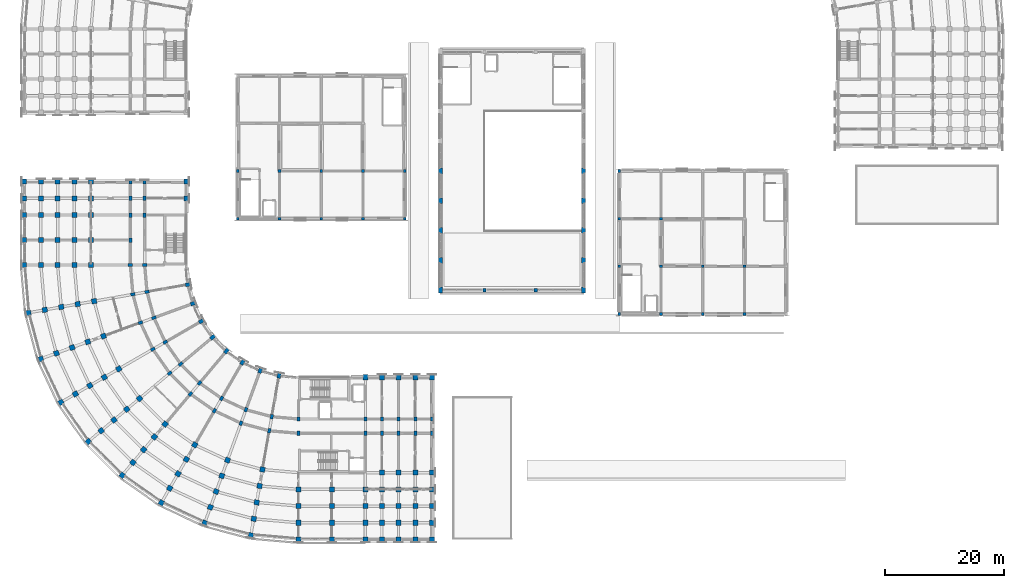
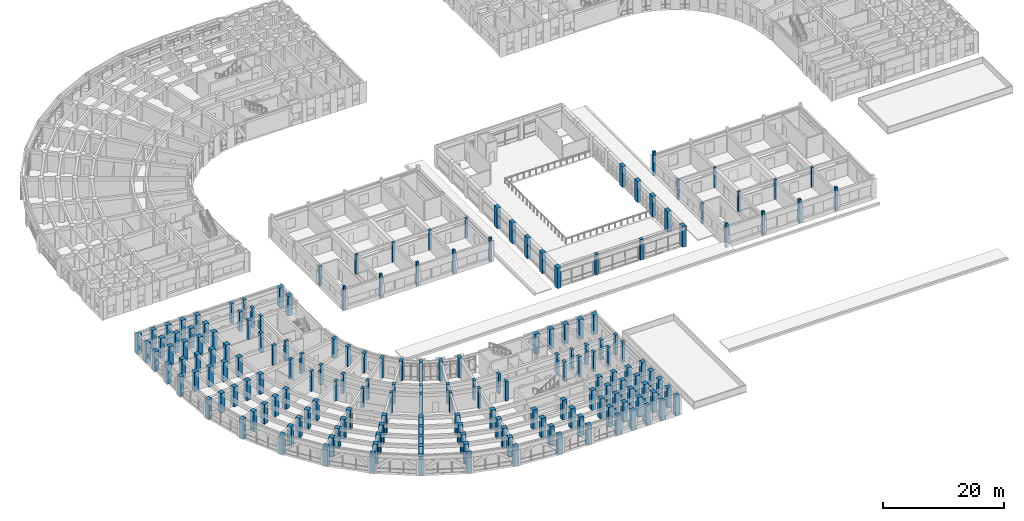
# One storey, part 1 of 97: 182 columns.
"""IFC4 building model written with IfcOpenShell, lengths in metres."""

from ifc_helpers import new_model, si_unit, direction, frame, origin, origin_2d, place, context, subcontext, project, spatial, rectangle, extrude, material, material_profile, profile_set, type_object, element, save


model = new_model("IFC4")

# Units and contexts
model_context = context("Model", 3, precision=1e-05, world=origin(), true_north=direction((0.0, 1.0)))
body_context = subcontext(model_context, "Body", "Model", "MODEL_VIEW")
ifc_project = project(units=[si_unit("LENGTHUNIT", "METRE"), si_unit("AREAUNIT", "SQUARE_METRE"), si_unit("VOLUMEUNIT", "CUBIC_METRE"), si_unit("PLANEANGLEUNIT", "RADIAN"), si_unit("MASSUNIT", "GRAM", prefix="KILO")], contexts=[model_context])

# Site, building, storey
site_placement = place(None, origin())
site = spatial("IfcSite", under=ifc_project, at=site_placement, CompositionType="ELEMENT")
building_placement = place(site_placement, origin())
building = spatial("IfcBuilding", under=site, at=building_placement, Name="Kiranvali Square Residences", CompositionType="ELEMENT")
storey_placement = place(building_placement, frame((0.0, 0.0, 4.5)))
storey = spatial("IfcBuildingStorey", under=building, at=storey_placement, Name="L01", CompositionType="ELEMENT", Elevation=4.5)

# Columns
ifc_material_1 = material(Name="Concrete M40 (40 MPa)", Category="concrete")
ifc_material_profile_1 = material_profile(ifc_material_1, rectangle(XDim=0.449951171875, YDim=0.449951171875, at=origin_2d()), Name="RC 450x450")
ifc_profile_set_1 = profile_set([ifc_material_profile_1], Name="Concrete M40 (40 MPa)")
column_type_1 = type_object("IfcColumnType", Name="COL-M40-450", PredefinedType="COLUMN", material=ifc_profile_set_1)
column_1_placement = place(storey_placement, frame((38.0, 56.0, 0.0), z_axis=(0.0, 0.0, 1.0), x_axis=(1.0, 0.0, 0.0)))
element("IfcColumn", 1, at=column_1_placement, inside=storey, type_object=column_type_1, Name="Nursery Pavilion L01 column 0-0", PredefinedType="COLUMN", context=body_context, shape_type="SweptSolid", body=[
    extrude(rectangle(XDim=0.449951171875, YDim=0.449951171875, at=origin_2d()), origin(), (0.0, 0.0, 1.0), 4.85009765625),
])
column_2_placement = place(storey_placement, frame((38.0, 64.0, 0.0), z_axis=(0.0, 0.0, 1.0), x_axis=(1.0, 0.0, 0.0)))
element("IfcColumn", 2, at=column_2_placement, inside=storey, type_object=column_type_1, Name="Nursery Pavilion L01 column 0-1", PredefinedType="COLUMN", context=body_context, shape_type="SweptSolid", body=[
    extrude(rectangle(XDim=0.449951171875, YDim=0.449951171875, at=origin_2d()), origin(), (0.0, 0.0, 1.0), 4.0),
])
column_3_placement = place(storey_placement, frame((45.0, 56.0, 0.0), z_axis=(0.0, 0.0, 1.0), x_axis=(1.0, 0.0, 0.0)))
element("IfcColumn", 3, at=column_3_placement, inside=storey, type_object=column_type_1, Name="Nursery Pavilion L01 column 1-0", PredefinedType="COLUMN", context=body_context, shape_type="SweptSolid", body=[
    extrude(rectangle(XDim=0.449951171875, YDim=0.449951171875, at=origin_2d()), origin(), (0.0, 0.0, 1.0), 4.85009765625),
])
column_4_placement = place(storey_placement, frame((45.0, 64.0, 0.0), z_axis=(0.0, 0.0, 1.0), x_axis=(1.0, 0.0, 0.0)))
element("IfcColumn", 4, at=column_4_placement, inside=storey, type_object=column_type_1, Name="Nursery Pavilion L01 column 1-1", PredefinedType="COLUMN", context=body_context, shape_type="SweptSolid", body=[
    extrude(rectangle(XDim=0.449951171875, YDim=0.449951171875, at=origin_2d()), origin(), (0.0, 0.0, 1.0), 4.0),
])
column_5_placement = place(storey_placement, frame((52.0, 56.0, 0.0), z_axis=(0.0, 0.0, 1.0), x_axis=(1.0, 0.0, 0.0)))
element("IfcColumn", 5, at=column_5_placement, inside=storey, type_object=column_type_1, Name="Nursery Pavilion L01 column 2-0", PredefinedType="COLUMN", context=body_context, shape_type="SweptSolid", body=[
    extrude(rectangle(XDim=0.449951171875, YDim=0.449951171875, at=origin_2d()), origin(), (0.0, 0.0, 1.0), 4.85009765625),
])
column_6_placement = place(storey_placement, frame((52.0, 64.0, 0.0), z_axis=(0.0, 0.0, 1.0), x_axis=(1.0, 0.0, 0.0)))
element("IfcColumn", 6, at=column_6_placement, inside=storey, type_object=column_type_1, Name="Nursery Pavilion L01 column 2-1", PredefinedType="COLUMN", context=body_context, shape_type="SweptSolid", body=[
    extrude(rectangle(XDim=0.449951171875, YDim=0.449951171875, at=origin_2d()), origin(), (0.0, 0.0, 1.0), 4.0),
])
column_7_placement = place(storey_placement, frame((59.0, 56.0, 0.0), z_axis=(0.0, 0.0, 1.0), x_axis=(1.0, 0.0, 0.0)))
element("IfcColumn", 7, at=column_7_placement, inside=storey, type_object=column_type_1, Name="Nursery Pavilion L01 column 3-0", PredefinedType="COLUMN", context=body_context, shape_type="SweptSolid", body=[
    extrude(rectangle(XDim=0.449951171875, YDim=0.449951171875, at=origin_2d()), origin(), (0.0, 0.0, 1.0), 4.85009765625),
])
column_8_placement = place(storey_placement, frame((59.0, 64.0, 0.0), z_axis=(0.0, 0.0, 1.0), x_axis=(1.0, 0.0, 0.0)))
element("IfcColumn", 8, at=column_8_placement, inside=storey, type_object=column_type_1, Name="Nursery Pavilion L01 column 3-1", PredefinedType="COLUMN", context=body_context, shape_type="SweptSolid", body=[
    extrude(rectangle(XDim=0.449951171875, YDim=0.449951171875, at=origin_2d()), origin(), (0.0, 0.0, 1.0), 4.0),
])
column_9_placement = place(storey_placement, frame((66.0, 56.0, 0.0), z_axis=(0.0, 0.0, 1.0), x_axis=(1.0, 0.0, 0.0)))
element("IfcColumn", 9, at=column_9_placement, inside=storey, type_object=column_type_1, Name="Nursery Pavilion L01 column 4-0", PredefinedType="COLUMN", context=body_context, shape_type="SweptSolid", body=[
    extrude(rectangle(XDim=0.449951171875, YDim=0.449951171875, at=origin_2d()), origin(), (0.0, 0.0, 1.0), 4.85009765625),
])
column_10_placement = place(storey_placement, frame((66.0, 64.0, 0.0), z_axis=(0.0, 0.0, 1.0), x_axis=(1.0, 0.0, 0.0)))
element("IfcColumn", 10, at=column_10_placement, inside=storey, type_object=column_type_1, Name="Nursery Pavilion L01 column 4-1", PredefinedType="COLUMN", context=body_context, shape_type="SweptSolid", body=[
    extrude(rectangle(XDim=0.449951171875, YDim=0.449951171875, at=origin_2d()), origin(), (0.0, 0.0, 1.0), 4.0),
])
column_11_placement = place(storey_placement, frame((102.0, 40.0, 0.0), z_axis=(0.0, 0.0, 1.0), x_axis=(1.0, 0.0, 0.0)))
element("IfcColumn", 11, at=column_11_placement, inside=storey, type_object=column_type_1, Name="Southeast Square Retail Pavilion L01 column 0-0", PredefinedType="COLUMN", context=body_context, shape_type="SweptSolid", body=[
    extrude(rectangle(XDim=0.449951171875, YDim=0.449951171875, at=origin_2d()), origin(), (0.0, 0.0, 1.0), 4.85009765625),
])
for number, where, z_axis, x_axis, name in (
    (12, (102.0, 48.0, 0.0), (0.0, 0.0, 1.0), (1.0, 0.0, 0.0), "Southeast Square Retail Pavilion L01 column 0-1"),
    (13, (102.0, 56.0, 0.0), (0.0, 0.0, 1.0), (1.0, 0.0, 0.0), "Southeast Square Retail Pavilion L01 column 0-2"),
):
    element("IfcColumn", number, at=place(storey_placement, frame(where, z_axis=z_axis, x_axis=x_axis)), inside=storey, type_object=column_type_1, Name=name, PredefinedType="COLUMN", context=body_context, shape_type="SweptSolid", body=[
        extrude(rectangle(XDim=0.449951171875, YDim=0.449951171875, at=origin_2d()), origin(), (0.0, 0.0, 1.0), 4.0),
    ])
for number, where, z_axis, x_axis, name in (
    (14, (102.0, 64.0, 0.0), (0.0, 0.0, 1.0), (1.0, 0.0, 0.0), "Southeast Square Retail Pavilion L01 column 0-3"),
    (15, (109.0, 40.0, 0.0), (0.0, 0.0, 1.0), (1.0, 0.0, 0.0), "Southeast Square Retail Pavilion L01 column 1-0"),
):
    element("IfcColumn", number, at=place(storey_placement, frame(where, z_axis=z_axis, x_axis=x_axis)), inside=storey, type_object=column_type_1, Name=name, PredefinedType="COLUMN", context=body_context, shape_type="SweptSolid", body=[
        extrude(rectangle(XDim=0.449951171875, YDim=0.449951171875, at=origin_2d()), origin(), (0.0, 0.0, 1.0), 4.85009765625),
    ])
for number, where, z_axis, x_axis, name in (
    (16, (109.0, 48.0, 0.0), (0.0, 0.0, 1.0), (1.0, 0.0, 0.0), "Southeast Square Retail Pavilion L01 column 1-1"),
    (17, (109.0, 56.0, 0.0), (0.0, 0.0, 1.0), (1.0, 0.0, 0.0), "Southeast Square Retail Pavilion L01 column 1-2"),
):
    element("IfcColumn", number, at=place(storey_placement, frame(where, z_axis=z_axis, x_axis=x_axis)), inside=storey, type_object=column_type_1, Name=name, PredefinedType="COLUMN", context=body_context, shape_type="SweptSolid", body=[
        extrude(rectangle(XDim=0.449951171875, YDim=0.449951171875, at=origin_2d()), origin(), (0.0, 0.0, 1.0), 4.0),
    ])
column_12_placement = place(storey_placement, frame((116.0, 40.0, 0.0), z_axis=(0.0, 0.0, 1.0), x_axis=(1.0, 0.0, 0.0)))
element("IfcColumn", 18, at=column_12_placement, inside=storey, type_object=column_type_1, Name="Southeast Square Retail Pavilion L01 column 2-0", PredefinedType="COLUMN", context=body_context, shape_type="SweptSolid", body=[
    extrude(rectangle(XDim=0.449951171875, YDim=0.449951171875, at=origin_2d()), origin(), (0.0, 0.0, 1.0), 4.85009765625),
])
column_13_placement = place(storey_placement, frame((116.0, 48.0, 0.0), z_axis=(0.0, 0.0, 1.0), x_axis=(1.0, 0.0, 0.0)))
element("IfcColumn", 19, at=column_13_placement, inside=storey, type_object=column_type_1, Name="Southeast Square Retail Pavilion L01 column 2-1", PredefinedType="COLUMN", context=body_context, shape_type="SweptSolid", body=[
    extrude(rectangle(XDim=0.449951171875, YDim=0.449951171875, at=origin_2d()), origin(), (0.0, 0.0, 1.0), 4.0),
])
column_14_placement = place(storey_placement, frame((123.0, 40.0, 0.0), z_axis=(0.0, 0.0, 1.0), x_axis=(1.0, 0.0, 0.0)))
element("IfcColumn", 20, at=column_14_placement, inside=storey, type_object=column_type_1, Name="Southeast Square Retail Pavilion L01 column 3-0", PredefinedType="COLUMN", context=body_context, shape_type="SweptSolid", body=[
    extrude(rectangle(XDim=0.449951171875, YDim=0.449951171875, at=origin_2d()), origin(), (0.0, 0.0, 1.0), 4.85009765625),
])
column_15_placement = place(storey_placement, frame((123.0, 48.0, 0.0), z_axis=(0.0, 0.0, 1.0), x_axis=(1.0, 0.0, 0.0)))
element("IfcColumn", 21, at=column_15_placement, inside=storey, type_object=column_type_1, Name="Southeast Square Retail Pavilion L01 column 3-1", PredefinedType="COLUMN", context=body_context, shape_type="SweptSolid", body=[
    extrude(rectangle(XDim=0.449951171875, YDim=0.449951171875, at=origin_2d()), origin(), (0.0, 0.0, 1.0), 4.0),
])
ifc_material_profile_2 = material_profile(ifc_material_1, rectangle(XDim=0.550048828125, YDim=0.550048828125, at=origin_2d()), Name="RC 550x550")
ifc_profile_set_2 = profile_set([ifc_material_profile_2], Name="Concrete M40 (40 MPa)")
column_type_2 = type_object("IfcColumnType", Name="COL-M40-550", PredefinedType="COLUMN", material=ifc_profile_set_2)
for number, where, z_axis, x_axis, name in (
    (22, (79.39990234375, 44.0, 0.0), (0.0, 0.0, 1.0), (1.0, 0.0, 0.0), "Community Hall gable column 79.4-44.0"),
    (23, (88.0, 44.0, 0.0), (0.0, 0.0, 1.0), (1.0, 0.0, 0.0), "Community Hall gable column 88.0-44.0"),
):
    element("IfcColumn", number, at=place(storey_placement, frame(where, z_axis=z_axis, x_axis=x_axis)), inside=storey, type_object=column_type_2, Name=name, PredefinedType="COLUMN", context=body_context, shape_type="SweptSolid", body=[
        extrude(rectangle(XDim=0.550048828125, YDim=0.550048828125, at=origin_2d()), origin(), (0.0, 0.0, 1.0), 4.199951171875),
    ])
ifc_material_2 = material(Name="Concrete M45 (45 MPa)", Category="concrete")
ifc_material_profile_3 = material_profile(ifc_material_2, rectangle(XDim=0.699951171875, YDim=1.0, at=origin_2d()), Name="RC 1000x700")
ifc_profile_set_3 = profile_set([ifc_material_profile_3], Name="Concrete M45 (45 MPa)")
column_type_3 = type_object("IfcColumnType", Name="COL-M45-1000x700", PredefinedType="COLUMN", material=ifc_profile_set_3)
for number, where, z_axis, x_axis, name in (
    (24, (72.0, 44.0, 0.0), (0.0, 0.0, 1.0), (1.0, 0.0, 0.0), "Community Hall buttressed pier W1 L01"),
    (25, (96.0, 44.0, 0.0), (0.0, 0.0, 1.0), (1.0, 0.0, 0.0), "Community Hall buttressed pier E1 L01"),
    (26, (72.0, 49.0, 0.0), (0.0, 0.0, 1.0), (1.0, 0.0, 0.0), "Community Hall buttressed pier W2 L01"),
    (27, (96.0, 49.0, 0.0), (0.0, 0.0, 1.0), (1.0, 0.0, 0.0), "Community Hall buttressed pier E2 L01"),
    (28, (72.0, 54.0, 0.0), (0.0, 0.0, 1.0), (1.0, 0.0, 0.0), "Community Hall buttressed pier W3 L01"),
    (29, (96.0, 54.0, 0.0), (0.0, 0.0, 1.0), (1.0, 0.0, 0.0), "Community Hall buttressed pier E3 L01"),
    (30, (72.0, 59.0, 0.0), (0.0, 0.0, 1.0), (1.0, 0.0, 0.0), "Community Hall buttressed pier W4 L01"),
    (31, (96.0, 59.0, 0.0), (0.0, 0.0, 1.0), (1.0, 0.0, 0.0), "Community Hall buttressed pier E4 L01"),
    (32, (72.0, 64.0, 0.0), (0.0, 0.0, 1.0), (1.0, 0.0, 0.0), "Community Hall buttressed pier W5 L01"),
    (33, (96.0, 64.0, 0.0), (0.0, 0.0, 1.0), (1.0, 0.0, 0.0), "Community Hall buttressed pier E5 L01"),
):
    element("IfcColumn", number, at=place(storey_placement, frame(where, z_axis=z_axis, x_axis=x_axis)), inside=storey, type_object=column_type_3, Name=name, PredefinedType="COLUMN", context=body_context, shape_type="SweptSolid", body=[
        extrude(rectangle(XDim=0.699951171875, YDim=1.0, at=origin_2d()), origin(), (0.0, 0.0, 1.0), 4.199951171875),
    ])
ifc_material_profile_4 = material_profile(ifc_material_2, rectangle(XDim=0.5, YDim=0.75, at=origin_2d()), Name="RC 750x500")
ifc_profile_set_4 = profile_set([ifc_material_profile_4], Name="Concrete M45 (45 MPa)")
column_type_4 = type_object("IfcColumnType", Name="COL-M45-750x500", PredefinedType="COLUMN", material=ifc_profile_set_4)
for number, where, z_axis, x_axis, name in (
    (34, (48.199951171875, 22.39990234375, 0.0), (0.0, 0.0, 1.0), (1.0, 0.0, 0.0), "Block C L01 radial column A00-R1"),
    (35, (48.199951171875, 20.0, 0.0), (0.0, 0.0, 1.0), (1.0, 0.0, 0.0), "Block C L01 radial column A00-R2"),
    (36, (43.719970703125, 22.7919921875, 0.0), (0.0, 0.0, 1.0), (-0.984807753012, 0.173648177667, 0.0), "Block C L01 radial column A01-R1"),
    (37, (43.30322265625, 20.428466796875, 0.0), (0.0, 0.0, 1.0), (-0.984807753012, 0.173648177667, 0.0), "Block C L01 radial column A01-R2"),
    (38, (39.3759765625, 23.955810546875, 0.0), (0.0, 0.0, 1.0), (-0.939692620786, 0.342020143326, 0.0), "Block C L01 radial column A02-R1"),
    (39, (38.554931640625, 21.70068359375, 0.0), (0.0, 0.0, 1.0), (-0.939692620786, 0.342020143326, 0.0), "Block C L01 radial column A02-R2"),
    (40, (35.300048828125, 25.8564453125, 0.0), (0.0, 0.0, 1.0), (-0.866025403784, 0.5, 0.0), "Block C L01 radial column A03-R1"),
    (41, (34.10009765625, 23.778076171875, 0.0), (0.0, 0.0, 1.0), (-0.866025403784, 0.5, 0.0), "Block C L01 radial column A03-R2"),
    (42, (31.615966796875, 28.43603515625, 0.0), (0.0, 0.0, 1.0), (-0.766044443119, 0.642787609687, 0.0), "Block C L01 radial column A04-R1"),
    (43, (30.073486328125, 26.59765625, 0.0), (0.0, 0.0, 1.0), (-0.766044443119, 0.642787609687, 0.0), "Block C L01 radial column A04-R2"),
    (44, (28.43603515625, 31.615966796875, 0.0), (0.0, 0.0, 1.0), (-0.642787609687, 0.766044443119, 0.0), "Block C L01 radial column A05-R1"),
    (45, (26.59765625, 30.073486328125, 0.0), (0.0, 0.0, 1.0), (-0.642787609687, 0.766044443119, 0.0), "Block C L01 radial column A05-R2"),
    (46, (25.8564453125, 35.300048828125, 0.0), (0.0, 0.0, 1.0), (-0.5, 0.866025403784, 0.0), "Block C L01 radial column A06-R1"),
    (47, (23.778076171875, 34.10009765625, 0.0), (0.0, 0.0, 1.0), (-0.5, 0.866025403784, 0.0), "Block C L01 radial column A06-R2"),
    (48, (23.955810546875, 39.3759765625, 0.0), (0.0, 0.0, 1.0), (-0.342020143326, 0.939692620786, 0.0), "Block C L01 radial column A07-R1"),
    (49, (21.70068359375, 38.554931640625, 0.0), (0.0, 0.0, 1.0), (-0.342020143326, 0.939692620786, 0.0), "Block C L01 radial column A07-R2"),
    (50, (22.7919921875, 43.719970703125, 0.0), (0.0, 0.0, 1.0), (-0.173648177667, 0.984807753012, 0.0), "Block C L01 radial column A08-R1"),
    (51, (20.428466796875, 43.30322265625, 0.0), (0.0, 0.0, 1.0), (-0.173648177667, 0.984807753012, 0.0), "Block C L01 radial column A08-R2"),
    (52, (22.39990234375, 48.199951171875, 0.0), (0.0, 0.0, 1.0), (0.0, 1.0, 0.0), "Block C L01 radial column A09-R1"),
    (53, (20.0, 48.199951171875, 0.0), (0.0, 0.0, 1.0), (0.0, 1.0, 0.0), "Block C L01 radial column A09-R2"),
    (54, (59.39990234375, 22.39990234375, 0.0), (0.0, 0.0, 1.0), (1.0, 0.0, 0.0), "Block C L01 Arm 1 column U1-R1"),
    (55, (59.39990234375, 20.0, 0.0), (0.0, 0.0, 1.0), (1.0, 0.0, 0.0), "Block C L01 Arm 1 column U1-R2"),
    (56, (62.199951171875, 22.39990234375, 0.0), (0.0, 0.0, 1.0), (1.0, 0.0, 0.0), "Block C L01 Arm 1 column U2-R1"),
    (57, (62.199951171875, 20.0, 0.0), (0.0, 0.0, 1.0), (1.0, 0.0, 0.0), "Block C L01 Arm 1 column U2-R2"),
    (58, (65.0, 22.39990234375, 0.0), (0.0, 0.0, 1.0), (1.0, 0.0, 0.0), "Block C L01 Arm 1 column U3-R1"),
    (59, (65.0, 20.0, 0.0), (0.0, 0.0, 1.0), (1.0, 0.0, 0.0), "Block C L01 Arm 1 column U3-R2"),
    (60, (67.800048828125, 22.39990234375, 0.0), (0.0, 0.0, 1.0), (1.0, 0.0, 0.0), "Block C L01 Arm 1 column U4-R1"),
    (61, (67.800048828125, 20.0, 0.0), (0.0, 0.0, 1.0), (1.0, 0.0, 0.0), "Block C L01 Arm 1 column U4-R2"),
    (62, (70.60009765625, 22.39990234375, 0.0), (0.0, 0.0, 1.0), (1.0, 0.0, 0.0), "Block C L01 Arm 1 column U5-R1"),
    (63, (70.60009765625, 20.0, 0.0), (0.0, 0.0, 1.0), (1.0, 0.0, 0.0), "Block C L01 Arm 1 column U5-R2"),
    (64, (20.0, 52.39990234375, 0.0), (0.0, 0.0, 1.0), (1.0, 0.0, 0.0), "Block C L01 Arm 2 mid-core column V0-R2"),
    (65, (22.39990234375, 56.60009765625, 0.0), (0.0, 0.0, 1.0), (1.0, 0.0, 0.0), "Block C L01 Arm 2 column V1-R1"),
    (66, (20.0, 56.60009765625, 0.0), (0.0, 0.0, 1.0), (1.0, 0.0, 0.0), "Block C L01 Arm 2 column V1-R2"),
    (67, (22.39990234375, 59.39990234375, 0.0), (0.0, 0.0, 1.0), (1.0, 0.0, 0.0), "Block C L01 Arm 2 column V2-R1"),
    (68, (20.0, 59.39990234375, 0.0), (0.0, 0.0, 1.0), (1.0, 0.0, 0.0), "Block C L01 Arm 2 column V2-R2"),
    (69, (22.39990234375, 62.199951171875, 0.0), (0.0, 0.0, 1.0), (1.0, 0.0, 0.0), "Block C L01 Arm 2 column V3-R1"),
    (70, (20.0, 62.199951171875, 0.0), (0.0, 0.0, 1.0), (1.0, 0.0, 0.0), "Block C L01 Arm 2 column V3-R2"),
):
    element("IfcColumn", number, at=place(storey_placement, frame(where, z_axis=z_axis, x_axis=x_axis)), inside=storey, type_object=column_type_4, Name=name, PredefinedType="COLUMN", context=body_context, shape_type="SweptSolid", body=[
        extrude(rectangle(XDim=0.5, YDim=0.75, at=origin_2d()), origin(), (0.0, 0.0, 1.0), 3.97998046875),
    ])
ifc_material_3 = material(Name="Concrete M50 (50 MPa)", Category="concrete")
ifc_material_profile_5 = material_profile(ifc_material_3, rectangle(XDim=0.85009765625, YDim=0.85009765625, at=origin_2d()), Name="RC 850x850")
ifc_profile_set_5 = profile_set([ifc_material_profile_5], Name="Concrete M50 (50 MPa)")
column_type_5 = type_object("IfcColumnType", Name="COL-M50-850", PredefinedType="COLUMN", material=ifc_profile_set_5)
for number, where, z_axis, x_axis, name in (
    (71, (48.199951171875, 10.60009765625, 0.0), (0.0, 0.0, 1.0), (1.0, 0.0, 0.0), "Block C L01 radial column A00-R4"),
    (72, (48.199951171875, 7.800048828125, 0.0), (0.0, 0.0, 1.0), (1.0, 0.0, 0.0), "Block C L01 radial column A00-R5"),
    (73, (48.199951171875, 5.0, 0.0), (0.0, 0.0, 1.0), (1.0, 0.0, 0.0), "Block C L01 radial column A00-R6"),
    (74, (48.199951171875, 2.199951171875, 0.0), (0.0, 0.0, 1.0), (1.0, 0.0, 0.0), "Block C L01 radial column A00-R7"),
    (75, (42.156982421875, 13.9287109375, 0.0), (0.0, 0.0, 1.0), (-0.984807753012, 0.173648177667, 0.0), "Block C L01 radial column A01-R3"),
    (76, (41.6708984375, 11.171142578125, 0.0), (0.0, 0.0, 1.0), (-0.984807753012, 0.173648177667, 0.0), "Block C L01 radial column A01-R4"),
    (77, (41.1845703125, 8.413818359375, 0.0), (0.0, 0.0, 1.0), (-0.984807753012, 0.173648177667, 0.0), "Block C L01 radial column A01-R5"),
    (78, (40.698486328125, 5.65625, 0.0), (0.0, 0.0, 1.0), (-0.984807753012, 0.173648177667, 0.0), "Block C L01 radial column A01-R6"),
    (79, (40.212158203125, 2.89892578125, 0.0), (0.0, 0.0, 1.0), (-0.984807753012, 0.173648177667, 0.0), "Block C L01 radial column A01-R7"),
    (80, (36.297607421875, 15.498779296875, 0.0), (0.0, 0.0, 1.0), (-0.939692620786, 0.342020143326, 0.0), "Block C L01 radial column A02-R3"),
    (81, (35.340087890625, 12.86767578125, 0.0), (0.0, 0.0, 1.0), (-0.939692620786, 0.342020143326, 0.0), "Block C L01 radial column A02-R4"),
    (82, (34.38232421875, 10.236328125, 0.0), (0.0, 0.0, 1.0), (-0.939692620786, 0.342020143326, 0.0), "Block C L01 radial column A02-R5"),
    (83, (33.4248046875, 7.605224609375, 0.0), (0.0, 0.0, 1.0), (-0.939692620786, 0.342020143326, 0.0), "Block C L01 radial column A02-R6"),
    (84, (32.467041015625, 4.97412109375, 0.0), (0.0, 0.0, 1.0), (-0.939692620786, 0.342020143326, 0.0), "Block C L01 radial column A02-R7"),
    (85, (30.800048828125, 18.062255859375, 0.0), (0.0, 0.0, 1.0), (-0.866025403784, 0.5, 0.0), "Block C L01 radial column A03-R3"),
    (86, (29.39990234375, 15.637451171875, 0.0), (0.0, 0.0, 1.0), (-0.866025403784, 0.5, 0.0), "Block C L01 radial column A03-R4"),
    (87, (28.0, 13.212646484375, 0.0), (0.0, 0.0, 1.0), (-0.866025403784, 0.5, 0.0), "Block C L01 radial column A03-R5"),
    (88, (26.60009765625, 10.78759765625, 0.0), (0.0, 0.0, 1.0), (-0.866025403784, 0.5, 0.0), "Block C L01 radial column A03-R6"),
    (89, (25.199951171875, 8.36279296875, 0.0), (0.0, 0.0, 1.0), (-0.866025403784, 0.5, 0.0), "Block C L01 radial column A03-R7"),
    (90, (25.8310546875, 21.541748046875, 0.0), (0.0, 0.0, 1.0), (-0.766044443119, 0.642787609687, 0.0), "Block C L01 radial column A04-R3"),
    (91, (24.03125, 19.396728515625, 0.0), (0.0, 0.0, 1.0), (-0.766044443119, 0.642787609687, 0.0), "Block C L01 radial column A04-R4"),
    (92, (22.2314453125, 17.251708984375, 0.0), (0.0, 0.0, 1.0), (-0.766044443119, 0.642787609687, 0.0), "Block C L01 radial column A04-R5"),
    (93, (20.431640625, 15.10693359375, 0.0), (0.0, 0.0, 1.0), (-0.766044443119, 0.642787609687, 0.0), "Block C L01 radial column A04-R6"),
    (94, (18.6318359375, 12.9619140625, 0.0), (0.0, 0.0, 1.0), (-0.766044443119, 0.642787609687, 0.0), "Block C L01 radial column A04-R7"),
    (95, (21.541748046875, 25.8310546875, 0.0), (0.0, 0.0, 1.0), (-0.642787609687, 0.766044443119, 0.0), "Block C L01 radial column A05-R3"),
    (96, (19.396728515625, 24.03125, 0.0), (0.0, 0.0, 1.0), (-0.642787609687, 0.766044443119, 0.0), "Block C L01 radial column A05-R4"),
    (97, (17.251708984375, 22.2314453125, 0.0), (0.0, 0.0, 1.0), (-0.642787609687, 0.766044443119, 0.0), "Block C L01 radial column A05-R5"),
    (98, (15.10693359375, 20.431640625, 0.0), (0.0, 0.0, 1.0), (-0.642787609687, 0.766044443119, 0.0), "Block C L01 radial column A05-R6"),
    (99, (12.9619140625, 18.6318359375, 0.0), (0.0, 0.0, 1.0), (-0.642787609687, 0.766044443119, 0.0), "Block C L01 radial column A05-R7"),
    (100, (18.062255859375, 30.800048828125, 0.0), (0.0, 0.0, 1.0), (-0.5, 0.866025403784, 0.0), "Block C L01 radial column A06-R3"),
    (101, (15.637451171875, 29.39990234375, 0.0), (0.0, 0.0, 1.0), (-0.5, 0.866025403784, 0.0), "Block C L01 radial column A06-R4"),
    (102, (13.212646484375, 28.0, 0.0), (0.0, 0.0, 1.0), (-0.5, 0.866025403784, 0.0), "Block C L01 radial column A06-R5"),
    (103, (10.78759765625, 26.60009765625, 0.0), (0.0, 0.0, 1.0), (-0.5, 0.866025403784, 0.0), "Block C L01 radial column A06-R6"),
    (104, (8.36279296875, 25.199951171875, 0.0), (0.0, 0.0, 1.0), (-0.5, 0.866025403784, 0.0), "Block C L01 radial column A06-R7"),
    (105, (15.498779296875, 36.297607421875, 0.0), (0.0, 0.0, 1.0), (-0.342020143326, 0.939692620786, 0.0), "Block C L01 radial column A07-R3"),
    (106, (12.86767578125, 35.340087890625, 0.0), (0.0, 0.0, 1.0), (-0.342020143326, 0.939692620786, 0.0), "Block C L01 radial column A07-R4"),
    (107, (10.236328125, 34.38232421875, 0.0), (0.0, 0.0, 1.0), (-0.342020143326, 0.939692620786, 0.0), "Block C L01 radial column A07-R5"),
    (108, (7.605224609375, 33.4248046875, 0.0), (0.0, 0.0, 1.0), (-0.342020143326, 0.939692620786, 0.0), "Block C L01 radial column A07-R6"),
    (109, (4.97412109375, 32.467041015625, 0.0), (0.0, 0.0, 1.0), (-0.342020143326, 0.939692620786, 0.0), "Block C L01 radial column A07-R7"),
    (110, (13.9287109375, 42.156982421875, 0.0), (0.0, 0.0, 1.0), (-0.173648177667, 0.984807753012, 0.0), "Block C L01 radial column A08-R3"),
    (111, (11.171142578125, 41.6708984375, 0.0), (0.0, 0.0, 1.0), (-0.173648177667, 0.984807753012, 0.0), "Block C L01 radial column A08-R4"),
    (112, (8.413818359375, 41.1845703125, 0.0), (0.0, 0.0, 1.0), (-0.173648177667, 0.984807753012, 0.0), "Block C L01 radial column A08-R5"),
    (113, (5.65625, 40.698486328125, 0.0), (0.0, 0.0, 1.0), (-0.173648177667, 0.984807753012, 0.0), "Block C L01 radial column A08-R6"),
    (114, (2.89892578125, 40.212158203125, 0.0), (0.0, 0.0, 1.0), (-0.173648177667, 0.984807753012, 0.0), "Block C L01 radial column A08-R7"),
    (115, (13.39990234375, 48.199951171875, 0.0), (0.0, 0.0, 1.0), (0.0, 1.0, 0.0), "Block C L01 radial column A09-R3"),
    (116, (10.60009765625, 48.199951171875, 0.0), (0.0, 0.0, 1.0), (0.0, 1.0, 0.0), "Block C L01 radial column A09-R4"),
    (117, (7.800048828125, 48.199951171875, 0.0), (0.0, 0.0, 1.0), (0.0, 1.0, 0.0), "Block C L01 radial column A09-R5"),
    (118, (5.0, 48.199951171875, 0.0), (0.0, 0.0, 1.0), (0.0, 1.0, 0.0), "Block C L01 radial column A09-R6"),
    (119, (2.199951171875, 48.199951171875, 0.0), (0.0, 0.0, 1.0), (0.0, 1.0, 0.0), "Block C L01 radial column A09-R7"),
    (120, (53.800048828125, 10.60009765625, 0.0), (0.0, 0.0, 1.0), (1.0, 0.0, 0.0), "Block C L01 core-front column U0-R4"),
    (121, (53.800048828125, 7.800048828125, 0.0), (0.0, 0.0, 1.0), (1.0, 0.0, 0.0), "Block C L01 core-front column U0-R5"),
    (122, (53.800048828125, 5.0, 0.0), (0.0, 0.0, 1.0), (1.0, 0.0, 0.0), "Block C L01 core-front column U0-R6"),
    (123, (53.800048828125, 2.199951171875, 0.0), (0.0, 0.0, 1.0), (1.0, 0.0, 0.0), "Block C L01 core-front column U0-R7"),
    (124, (59.39990234375, 29.39990234375, 0.0), (0.0, 0.0, 1.0), (1.0, 0.0, 0.0), "Block C L01 Arm 1 column U1-R0"),
    (125, (59.39990234375, 10.60009765625, 0.0), (0.0, 0.0, 1.0), (1.0, 0.0, 0.0), "Block C L01 Arm 1 column U1-R4"),
    (126, (59.39990234375, 7.800048828125, 0.0), (0.0, 0.0, 1.0), (1.0, 0.0, 0.0), "Block C L01 Arm 1 column U1-R5"),
    (127, (59.39990234375, 5.0, 0.0), (0.0, 0.0, 1.0), (1.0, 0.0, 0.0), "Block C L01 Arm 1 column U1-R6"),
    (128, (59.39990234375, 2.199951171875, 0.0), (0.0, 0.0, 1.0), (1.0, 0.0, 0.0), "Block C L01 Arm 1 column U1-R7"),
    (129, (62.199951171875, 29.39990234375, 0.0), (0.0, 0.0, 1.0), (1.0, 0.0, 0.0), "Block C L01 Arm 1 column U2-R0"),
    (130, (62.199951171875, 13.39990234375, 0.0), (0.0, 0.0, 1.0), (1.0, 0.0, 0.0), "Block C L01 Arm 1 column U2-R3"),
    (131, (62.199951171875, 10.60009765625, 0.0), (0.0, 0.0, 1.0), (1.0, 0.0, 0.0), "Block C L01 Arm 1 column U2-R4"),
    (132, (62.199951171875, 7.800048828125, 0.0), (0.0, 0.0, 1.0), (1.0, 0.0, 0.0), "Block C L01 Arm 1 column U2-R5"),
    (133, (62.199951171875, 5.0, 0.0), (0.0, 0.0, 1.0), (1.0, 0.0, 0.0), "Block C L01 Arm 1 column U2-R6"),
    (134, (62.199951171875, 2.199951171875, 0.0), (0.0, 0.0, 1.0), (1.0, 0.0, 0.0), "Block C L01 Arm 1 column U2-R7"),
    (135, (65.0, 29.39990234375, 0.0), (0.0, 0.0, 1.0), (1.0, 0.0, 0.0), "Block C L01 Arm 1 column U3-R0"),
    (136, (65.0, 13.39990234375, 0.0), (0.0, 0.0, 1.0), (1.0, 0.0, 0.0), "Block C L01 Arm 1 column U3-R3"),
    (137, (65.0, 10.60009765625, 0.0), (0.0, 0.0, 1.0), (1.0, 0.0, 0.0), "Block C L01 Arm 1 column U3-R4"),
    (138, (65.0, 7.800048828125, 0.0), (0.0, 0.0, 1.0), (1.0, 0.0, 0.0), "Block C L01 Arm 1 column U3-R5"),
    (139, (65.0, 5.0, 0.0), (0.0, 0.0, 1.0), (1.0, 0.0, 0.0), "Block C L01 Arm 1 column U3-R6"),
    (140, (65.0, 2.199951171875, 0.0), (0.0, 0.0, 1.0), (1.0, 0.0, 0.0), "Block C L01 Arm 1 column U3-R7"),
    (141, (67.800048828125, 29.39990234375, 0.0), (0.0, 0.0, 1.0), (1.0, 0.0, 0.0), "Block C L01 Arm 1 column U4-R0"),
    (142, (67.800048828125, 13.39990234375, 0.0), (0.0, 0.0, 1.0), (1.0, 0.0, 0.0), "Block C L01 Arm 1 column U4-R3"),
    (143, (67.800048828125, 10.60009765625, 0.0), (0.0, 0.0, 1.0), (1.0, 0.0, 0.0), "Block C L01 Arm 1 column U4-R4"),
    (144, (67.800048828125, 7.800048828125, 0.0), (0.0, 0.0, 1.0), (1.0, 0.0, 0.0), "Block C L01 Arm 1 column U4-R5"),
    (145, (67.800048828125, 5.0, 0.0), (0.0, 0.0, 1.0), (1.0, 0.0, 0.0), "Block C L01 Arm 1 column U4-R6"),
    (146, (67.800048828125, 2.199951171875, 0.0), (0.0, 0.0, 1.0), (1.0, 0.0, 0.0), "Block C L01 Arm 1 column U4-R7"),
    (147, (70.60009765625, 29.39990234375, 0.0), (0.0, 0.0, 1.0), (1.0, 0.0, 0.0), "Block C L01 Arm 1 column U5-R0"),
    (148, (70.60009765625, 13.39990234375, 0.0), (0.0, 0.0, 1.0), (1.0, 0.0, 0.0), "Block C L01 Arm 1 column U5-R3"),
    (149, (70.60009765625, 10.60009765625, 0.0), (0.0, 0.0, 1.0), (1.0, 0.0, 0.0), "Block C L01 Arm 1 column U5-R4"),
    (150, (70.60009765625, 7.800048828125, 0.0), (0.0, 0.0, 1.0), (1.0, 0.0, 0.0), "Block C L01 Arm 1 column U5-R5"),
    (151, (70.60009765625, 5.0, 0.0), (0.0, 0.0, 1.0), (1.0, 0.0, 0.0), "Block C L01 Arm 1 column U5-R6"),
    (152, (70.60009765625, 2.199951171875, 0.0), (0.0, 0.0, 1.0), (1.0, 0.0, 0.0), "Block C L01 Arm 1 column U5-R7"),
    (153, (13.39990234375, 52.39990234375, 0.0), (0.0, 0.0, 1.0), (1.0, 0.0, 0.0), "Block C L01 Arm 2 mid-core column V0-R3"),
    (154, (10.60009765625, 52.39990234375, 0.0), (0.0, 0.0, 1.0), (1.0, 0.0, 0.0), "Block C L01 Arm 2 mid-core column V0-R4"),
    (155, (7.800048828125, 52.39990234375, 0.0), (0.0, 0.0, 1.0), (1.0, 0.0, 0.0), "Block C L01 Arm 2 mid-core column V0-R5"),
    (156, (5.0, 52.39990234375, 0.0), (0.0, 0.0, 1.0), (1.0, 0.0, 0.0), "Block C L01 Arm 2 mid-core column V0-R6"),
    (157, (2.199951171875, 52.39990234375, 0.0), (0.0, 0.0, 1.0), (1.0, 0.0, 0.0), "Block C L01 Arm 2 mid-core column V0-R7"),
    (158, (13.39990234375, 56.60009765625, 0.0), (0.0, 0.0, 1.0), (1.0, 0.0, 0.0), "Block C L01 Arm 2 column V1-R3"),
    (159, (10.60009765625, 56.60009765625, 0.0), (0.0, 0.0, 1.0), (1.0, 0.0, 0.0), "Block C L01 Arm 2 column V1-R4"),
    (160, (7.800048828125, 56.60009765625, 0.0), (0.0, 0.0, 1.0), (1.0, 0.0, 0.0), "Block C L01 Arm 2 column V1-R5"),
    (161, (5.0, 56.60009765625, 0.0), (0.0, 0.0, 1.0), (1.0, 0.0, 0.0), "Block C L01 Arm 2 column V1-R6"),
    (162, (2.199951171875, 56.60009765625, 0.0), (0.0, 0.0, 1.0), (1.0, 0.0, 0.0), "Block C L01 Arm 2 column V1-R7"),
    (163, (29.39990234375, 59.39990234375, 0.0), (0.0, 0.0, 1.0), (1.0, 0.0, 0.0), "Block C L01 Arm 2 column V2-R0"),
    (164, (13.39990234375, 59.39990234375, 0.0), (0.0, 0.0, 1.0), (1.0, 0.0, 0.0), "Block C L01 Arm 2 column V2-R3"),
    (165, (10.60009765625, 59.39990234375, 0.0), (0.0, 0.0, 1.0), (1.0, 0.0, 0.0), "Block C L01 Arm 2 column V2-R4"),
    (166, (7.800048828125, 59.39990234375, 0.0), (0.0, 0.0, 1.0), (1.0, 0.0, 0.0), "Block C L01 Arm 2 column V2-R5"),
    (167, (5.0, 59.39990234375, 0.0), (0.0, 0.0, 1.0), (1.0, 0.0, 0.0), "Block C L01 Arm 2 column V2-R6"),
    (168, (2.199951171875, 59.39990234375, 0.0), (0.0, 0.0, 1.0), (1.0, 0.0, 0.0), "Block C L01 Arm 2 column V2-R7"),
    (169, (29.39990234375, 62.199951171875, 0.0), (0.0, 0.0, 1.0), (1.0, 0.0, 0.0), "Block C L01 Arm 2 column V3-R0"),
    (170, (13.39990234375, 62.199951171875, 0.0), (0.0, 0.0, 1.0), (1.0, 0.0, 0.0), "Block C L01 Arm 2 column V3-R3"),
    (171, (10.60009765625, 62.199951171875, 0.0), (0.0, 0.0, 1.0), (1.0, 0.0, 0.0), "Block C L01 Arm 2 column V3-R4"),
    (172, (7.800048828125, 62.199951171875, 0.0), (0.0, 0.0, 1.0), (1.0, 0.0, 0.0), "Block C L01 Arm 2 column V3-R5"),
    (173, (5.0, 62.199951171875, 0.0), (0.0, 0.0, 1.0), (1.0, 0.0, 0.0), "Block C L01 Arm 2 column V3-R6"),
    (174, (2.199951171875, 62.199951171875, 0.0), (0.0, 0.0, 1.0), (1.0, 0.0, 0.0), "Block C L01 Arm 2 column V3-R7"),
):
    element("IfcColumn", number, at=place(storey_placement, frame(where, z_axis=z_axis, x_axis=x_axis)), inside=storey, type_object=column_type_5, Name=name, PredefinedType="COLUMN", context=body_context, shape_type="SweptSolid", body=[
        extrude(rectangle(XDim=0.85009765625, YDim=0.85009765625, at=origin_2d()), origin(), (0.0, 0.0, 1.0), 3.97998046875),
    ])
ifc_material_profile_6 = material_profile(ifc_material_3, rectangle(XDim=0.60009765625, YDim=0.89990234375, at=origin_2d()), Name="RC 900x600")
ifc_profile_set_6 = profile_set([ifc_material_profile_6], Name="Concrete M50 (50 MPa)")
column_type_6 = type_object("IfcColumnType", Name="COL-M50-900x600", PredefinedType="COLUMN", material=ifc_profile_set_6)
for number, where, z_axis, x_axis, name in (
    (175, (44.935302734375, 29.685546875, 0.0), (0.0, 0.0, 1.0), (-0.984807753012, 0.173648177667, 0.0), "Block C L01 radial column A01-R0"),
    (176, (41.77001953125, 30.53369140625, 0.0), (0.0, 0.0, 1.0), (-0.939692620786, 0.342020143326, 0.0), "Block C L01 radial column A02-R0"),
    (177, (38.800048828125, 31.918701171875, 0.0), (0.0, 0.0, 1.0), (-0.866025403784, 0.5, 0.0), "Block C L01 radial column A03-R0"),
    (178, (36.115478515625, 33.79833984375, 0.0), (0.0, 0.0, 1.0), (-0.766044443119, 0.642787609687, 0.0), "Block C L01 radial column A04-R0"),
    (179, (33.79833984375, 36.115478515625, 0.0), (0.0, 0.0, 1.0), (-0.642787609687, 0.766044443119, 0.0), "Block C L01 radial column A05-R0"),
    (180, (31.918701171875, 38.800048828125, 0.0), (0.0, 0.0, 1.0), (-0.5, 0.866025403784, 0.0), "Block C L01 radial column A06-R0"),
    (181, (30.53369140625, 41.77001953125, 0.0), (0.0, 0.0, 1.0), (-0.342020143326, 0.939692620786, 0.0), "Block C L01 radial column A07-R0"),
    (182, (29.685546875, 44.935302734375, 0.0), (0.0, 0.0, 1.0), (-0.173648177667, 0.984807753012, 0.0), "Block C L01 radial column A08-R0"),
):
    element("IfcColumn", number, at=place(storey_placement, frame(where, z_axis=z_axis, x_axis=x_axis)), inside=storey, type_object=column_type_6, Name=name, PredefinedType="COLUMN", context=body_context, shape_type="SweptSolid", body=[
        extrude(rectangle(XDim=0.60009765625, YDim=0.89990234375, at=origin_2d()), origin(), (0.0, 0.0, 1.0), 3.97998046875),
    ])

save(model, "model.ifc")
